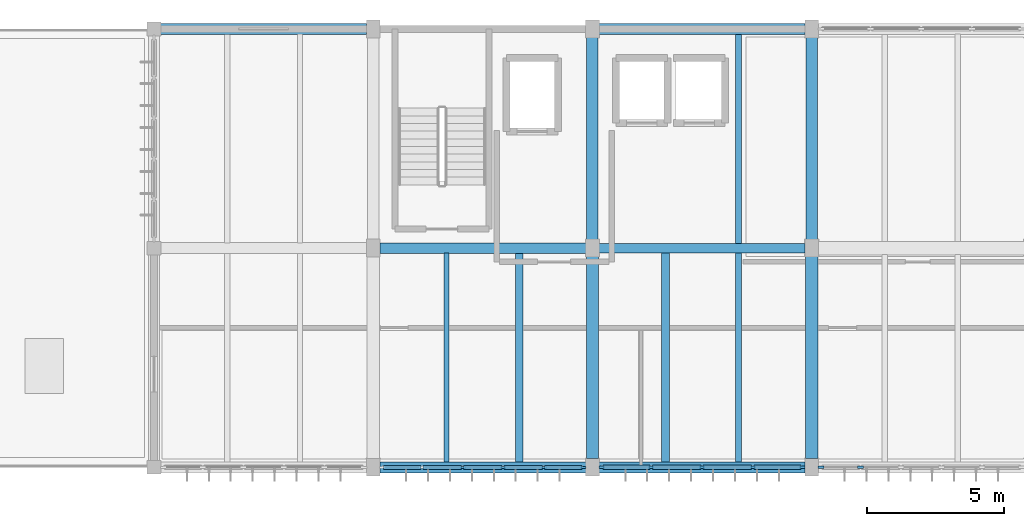
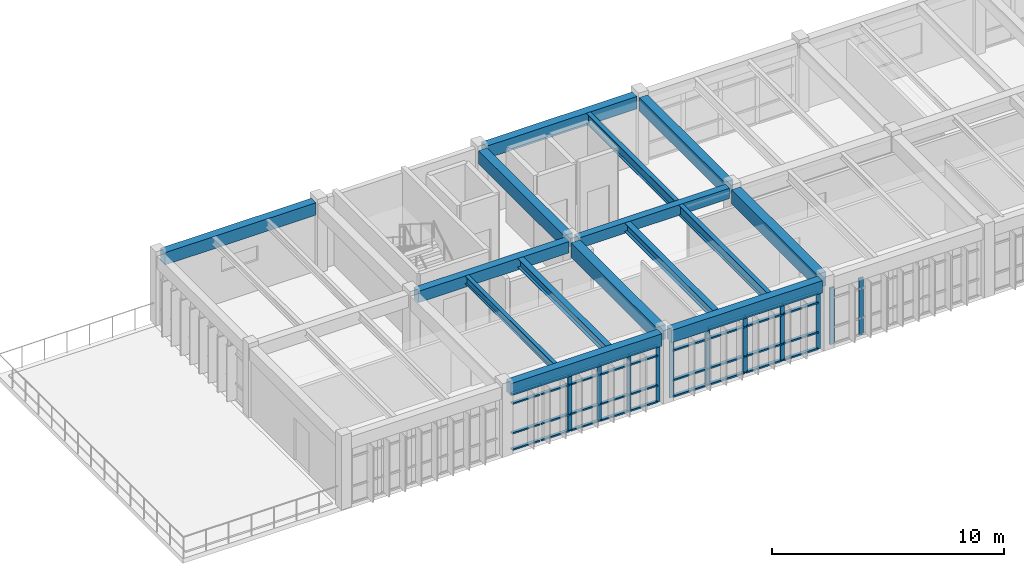
# One storey, part 3 of 15: 47 members, 15 beams, 3 elements without a shape of their own.
"""IFC4 building model written with IfcOpenShell, lengths in metres."""

from ifc_helpers import new_model, si_unit, direction, frame, origin, origin_2d, place, context, subcontext, project, spatial, rectangle, i_section, extrude, material, material_profile, profile_set, type_object, element, aggregate, save


model = new_model("IFC4")

# Units and contexts
model_context = context("Model", 3, precision=1e-05, world=origin(), true_north=direction((0.0, 1.0)))
body_context = subcontext(model_context, "Body", "Model", "MODEL_VIEW")
ifc_project = project(units=[si_unit("LENGTHUNIT", "METRE"), si_unit("AREAUNIT", "SQUARE_METRE"), si_unit("VOLUMEUNIT", "CUBIC_METRE"), si_unit("PLANEANGLEUNIT", "RADIAN"), si_unit("MASSUNIT", "GRAM", prefix="KILO")], contexts=[model_context])

# Site, building, storey
site_placement = place(None, origin())
site = spatial("IfcSite", under=ifc_project, at=site_placement, CompositionType="ELEMENT")
building_placement = place(site_placement, origin())
building = spatial("IfcBuilding", under=site, at=building_placement, Name="Tlaxcora Railside Police Headquarters", CompositionType="ELEMENT")
storey_placement = place(building_placement, frame((0.0, 0.0, 25.800048828125)))
storey = spatial("IfcBuildingStorey", under=building, at=storey_placement, Name="L06", CompositionType="ELEMENT", Elevation=25.800048828125)

# Curtain wall, members
ifc_material_1 = material(Name="Thermally broken low-E insulated glazing", Category="glass")
curtain_wall_type_1 = type_object("IfcCurtainWallType", Name="Unitised Curtain Wall Assembly CW-23", PredefinedType="NOTDEFINED", material=ifc_material_1)
curtain_wall_1_placement = place(storey_placement, origin())
curtain_wall_1 = element("IfcCurtainWall", 1, at=curtain_wall_1_placement, inside=storey, type_object=curtain_wall_type_1, Name="V5 L06 curtain wall 124", PredefinedType="NOTDEFINED")
ifc_material_2 = material(Name="Anodised aluminium framing", Category="aluminium")
ifc_material_profile_1 = material_profile(ifc_material_2, rectangle(XDim=0.080078125, YDim=0.219970703125, at=origin_2d()), Name="AL80X220")
ifc_profile_set_1 = profile_set([ifc_material_profile_1], Name="Anodised aluminium framing")
member_type_1 = type_object("IfcMemberType", Name="Curtain Wall Mullion CW-31", PredefinedType="MULLION", material=ifc_profile_set_1)
member_1_placement = place(storey_placement, frame((37.5400390625, 76.800048828125, 0.0), z_axis=(0.0, 0.0, 1.0), x_axis=(0.0, 1.0, 0.0)))
member_1 = element("IfcMember", 2, at=member_1_placement, type_object=member_type_1, Name="CW mullion 1", PredefinedType="MULLION", context=body_context, shape_type="SweptSolid", body=[
    extrude(rectangle(XDim=0.080078125, YDim=0.219970703125, at=origin_2d()), origin(), (0.0, 0.0, 1.0), 2.989990234375),
])
member_2_placement = place(storey_placement, frame((38.97998046875, 76.800048828125, 0.0), z_axis=(0.0, 0.0, 1.0), x_axis=(0.0, 1.0, 0.0)))
member_2 = element("IfcMember", 3, at=member_2_placement, type_object=member_type_1, Name="CW mullion 2", PredefinedType="MULLION", context=body_context, shape_type="SweptSolid", body=[
    extrude(rectangle(XDim=0.080078125, YDim=0.219970703125, at=origin_2d()), origin(), (0.0, 0.0, 1.0), 2.989990234375),
])
aggregate(curtain_wall_1, [member_1, member_2])

curtain_wall_type_2 = type_object("IfcCurtainWallType", Name="Unitised Curtain Wall Assembly CW-15", PredefinedType="NOTDEFINED", material=ifc_material_1)
curtain_wall_2_placement = place(storey_placement, origin())
curtain_wall_2 = element("IfcCurtainWall", 4, at=curtain_wall_2_placement, inside=storey, type_object=curtain_wall_type_2, Name="V5 L06 curtain wall 122", PredefinedType="NOTDEFINED")
ifc_material_profile_2 = material_profile(ifc_material_2, rectangle(XDim=0.074951171875, YDim=0.199951171875, at=origin_2d()), Name="AL75X200")
ifc_profile_set_2 = profile_set([ifc_material_profile_2], Name="Anodised aluminium framing")
member_type_2 = type_object("IfcMemberType", Name="Curtain Wall Mullion CW-58", PredefinedType="MULLION", material=ifc_profile_set_2)
member_3_placement = place(storey_placement, frame((24.4599609375, 76.800048828125, 0.0), z_axis=(0.0, 0.0, 1.0), x_axis=(0.0, 1.0, 0.0)))
member_3 = element("IfcMember", 5, at=member_3_placement, type_object=member_type_2, Name="CW mullion 3", PredefinedType="MULLION", context=body_context, shape_type="SweptSolid", body=[
    extrude(rectangle(XDim=0.074951171875, YDim=0.199951171875, at=origin_2d()), origin(), (0.0, 0.0, 1.0), 2.989990234375),
])
member_4_placement = place(storey_placement, frame((25.93994140625, 76.800048828125, 0.0), z_axis=(0.0, 0.0, 1.0), x_axis=(0.0, 1.0, 0.0)))
member_4 = element("IfcMember", 6, at=member_4_placement, type_object=member_type_2, Name="CW mullion 4", PredefinedType="MULLION", context=body_context, shape_type="SweptSolid", body=[
    extrude(rectangle(XDim=0.074951171875, YDim=0.199951171875, at=origin_2d()), origin(), (0.0, 0.0, 1.0), 2.989990234375),
])
member_5_placement = place(storey_placement, frame((27.419921875, 76.800048828125, 0.0), z_axis=(0.0, 0.0, 1.0), x_axis=(0.0, 1.0, 0.0)))
member_5 = element("IfcMember", 7, at=member_5_placement, type_object=member_type_2, Name="CW mullion 5", PredefinedType="MULLION", context=body_context, shape_type="SweptSolid", body=[
    extrude(rectangle(XDim=0.074951171875, YDim=0.199951171875, at=origin_2d()), origin(), (0.0, 0.0, 1.0), 2.989990234375),
])
member_6_placement = place(storey_placement, frame((28.862548828125, 76.800048828125, 0.0), z_axis=(0.0, 0.0, 1.0), x_axis=(0.0, 1.0, 0.0)))
member_6 = element("IfcMember", 8, at=member_6_placement, type_object=member_type_2, Name="CW mullion 6", PredefinedType="MULLION", context=body_context, shape_type="SweptSolid", body=[
    extrude(rectangle(XDim=0.074951171875, YDim=0.199951171875, at=origin_2d()), origin(), (0.0, 0.0, 1.0), 2.989990234375),
])

curtain_wall_type_3 = type_object("IfcCurtainWallType", Name="Unitised Curtain Wall Assembly CW-83", PredefinedType="NOTDEFINED", material=ifc_material_1)
curtain_wall_3_placement = place(storey_placement, origin())
curtain_wall_3 = element("IfcCurtainWall", 9, at=curtain_wall_3_placement, inside=storey, type_object=curtain_wall_type_3, Name="V5 L06 curtain wall 123", PredefinedType="NOTDEFINED")
ifc_material_profile_3 = material_profile(ifc_material_2, rectangle(XDim=0.080078125, YDim=0.2099609375, at=origin_2d()), Name="AL80X210")
ifc_profile_set_3 = profile_set([ifc_material_profile_3], Name="Anodised aluminium framing")
member_type_3 = type_object("IfcMemberType", Name="Curtain Wall Mullion CW-76", PredefinedType="MULLION", material=ifc_profile_set_3)
member_7_placement = place(storey_placement, frame((29.5400390625, 76.800048828125, 0.0), z_axis=(0.0, 0.0, 1.0), x_axis=(0.0, 1.0, 0.0)))
member_7 = element("IfcMember", 10, at=member_7_placement, type_object=member_type_3, Name="CW mullion 1", PredefinedType="MULLION", context=body_context, shape_type="SweptSolid", body=[
    extrude(rectangle(XDim=0.080078125, YDim=0.2099609375, at=origin_2d()), origin(), (0.0, 0.0, 1.0), 2.989990234375),
])
member_8_placement = place(storey_placement, frame((31.35009765625, 76.800048828125, 0.0), z_axis=(0.0, 0.0, 1.0), x_axis=(0.0, 1.0, 0.0)))
member_8 = element("IfcMember", 11, at=member_8_placement, type_object=member_type_3, Name="CW mullion 2", PredefinedType="MULLION", context=body_context, shape_type="SweptSolid", body=[
    extrude(rectangle(XDim=0.080078125, YDim=0.2099609375, at=origin_2d()), origin(), (0.0, 0.0, 1.0), 2.989990234375),
])
member_9_placement = place(storey_placement, frame((33.199951171875, 76.800048828125, 0.0), z_axis=(0.0, 0.0, 1.0), x_axis=(0.0, 1.0, 0.0)))
member_9 = element("IfcMember", 12, at=member_9_placement, type_object=member_type_3, Name="CW mullion 3", PredefinedType="MULLION", context=body_context, shape_type="SweptSolid", body=[
    extrude(rectangle(XDim=0.080078125, YDim=0.2099609375, at=origin_2d()), origin(), (0.0, 0.0, 1.0), 2.989990234375),
])
member_10_placement = place(storey_placement, frame((35.050048828125, 76.800048828125, 0.0), z_axis=(0.0, 0.0, 1.0), x_axis=(0.0, 1.0, 0.0)))
member_10 = element("IfcMember", 13, at=member_10_placement, type_object=member_type_3, Name="CW mullion 4", PredefinedType="MULLION", context=body_context, shape_type="SweptSolid", body=[
    extrude(rectangle(XDim=0.080078125, YDim=0.2099609375, at=origin_2d()), origin(), (0.0, 0.0, 1.0), 2.989990234375),
])
member_11_placement = place(storey_placement, frame((36.860107421875, 76.800048828125, 0.0), z_axis=(0.0, 0.0, 1.0), x_axis=(0.0, 1.0, 0.0)))
member_11 = element("IfcMember", 14, at=member_11_placement, type_object=member_type_3, Name="CW mullion 5", PredefinedType="MULLION", context=body_context, shape_type="SweptSolid", body=[
    extrude(rectangle(XDim=0.080078125, YDim=0.2099609375, at=origin_2d()), origin(), (0.0, 0.0, 1.0), 2.989990234375),
])

# Member
ifc_material_profile_4 = material_profile(ifc_material_2, rectangle(XDim=0.14990234375, YDim=0.074951171875, at=origin_2d()), Name="AL75X150")
ifc_profile_set_4 = profile_set([ifc_material_profile_4], Name="Anodised aluminium framing")
member_type_4 = type_object("IfcMemberType", Name="Curtain Wall Transom CW-28", PredefinedType="USERDEFINED", material=ifc_profile_set_4)
member_12_placement = place(storey_placement, frame((21.574951171875, 76.800048828125, 0.037353515625), z_axis=(1.0, 0.0, 0.0), x_axis=(0.0, 1.0, 0.0)))
member_12 = element("IfcMember", 15, at=member_12_placement, type_object=member_type_4, Name="CW transom 1.1", ObjectType="TRANSOM", PredefinedType="USERDEFINED", context=body_context, shape_type="SweptSolid", body=[
    extrude(rectangle(XDim=0.14990234375, YDim=0.074951171875, at=origin_2d()), origin(), (0.0, 0.0, 1.0), 1.367431640625),
])

member_13_placement = place(storey_placement, frame((21.574951171875, 76.800048828125, 0.89990234375), z_axis=(1.0, 0.0, 0.0), x_axis=(0.0, 1.0, 0.0)))
member_13 = element("IfcMember", 16, at=member_13_placement, type_object=member_type_4, Name="CW transom 1.2", ObjectType="TRANSOM", PredefinedType="USERDEFINED", context=body_context, shape_type="SweptSolid", body=[
    extrude(rectangle(XDim=0.14990234375, YDim=0.074951171875, at=origin_2d()), origin(), (0.0, 0.0, 1.0), 1.367431640625),
])

member_14_placement = place(storey_placement, frame((21.574951171875, 76.800048828125, 2.4599609375), z_axis=(1.0, 0.0, 0.0), x_axis=(0.0, 1.0, 0.0)))
member_14 = element("IfcMember", 17, at=member_14_placement, type_object=member_type_4, Name="CW transom 1.3", ObjectType="TRANSOM", PredefinedType="USERDEFINED", context=body_context, shape_type="SweptSolid", body=[
    extrude(rectangle(XDim=0.14990234375, YDim=0.074951171875, at=origin_2d()), origin(), (0.0, 0.0, 1.0), 1.367431640625),
])

member_15_placement = place(storey_placement, frame((21.574951171875, 76.800048828125, 2.952392578125), z_axis=(1.0, 0.0, 0.0), x_axis=(0.0, 1.0, 0.0)))
member_15 = element("IfcMember", 18, at=member_15_placement, type_object=member_type_4, Name="CW transom 1.4", ObjectType="TRANSOM", PredefinedType="USERDEFINED", context=body_context, shape_type="SweptSolid", body=[
    extrude(rectangle(XDim=0.14990234375, YDim=0.074951171875, at=origin_2d()), origin(), (0.0, 0.0, 1.0), 1.367431640625),
])

member_16_placement = place(storey_placement, frame((23.017578125, 76.800048828125, 0.037353515625), z_axis=(1.0, 0.0, 0.0), x_axis=(0.0, 1.0, 0.0)))
member_16 = element("IfcMember", 19, at=member_16_placement, type_object=member_type_4, Name="CW transom 2.1", ObjectType="TRANSOM", PredefinedType="USERDEFINED", context=body_context, shape_type="SweptSolid", body=[
    extrude(rectangle(XDim=0.14990234375, YDim=0.074951171875, at=origin_2d()), origin(), (0.0, 0.0, 1.0), 1.405029296875),
])

member_17_placement = place(storey_placement, frame((23.017578125, 76.800048828125, 0.89990234375), z_axis=(1.0, 0.0, 0.0), x_axis=(0.0, 1.0, 0.0)))
member_17 = element("IfcMember", 20, at=member_17_placement, type_object=member_type_4, Name="CW transom 2.2", ObjectType="TRANSOM", PredefinedType="USERDEFINED", context=body_context, shape_type="SweptSolid", body=[
    extrude(rectangle(XDim=0.14990234375, YDim=0.074951171875, at=origin_2d()), origin(), (0.0, 0.0, 1.0), 1.405029296875),
])

member_18_placement = place(storey_placement, frame((23.017578125, 76.800048828125, 2.4599609375), z_axis=(1.0, 0.0, 0.0), x_axis=(0.0, 1.0, 0.0)))
member_18 = element("IfcMember", 21, at=member_18_placement, type_object=member_type_4, Name="CW transom 2.3", ObjectType="TRANSOM", PredefinedType="USERDEFINED", context=body_context, shape_type="SweptSolid", body=[
    extrude(rectangle(XDim=0.14990234375, YDim=0.074951171875, at=origin_2d()), origin(), (0.0, 0.0, 1.0), 1.405029296875),
])

member_19_placement = place(storey_placement, frame((23.017578125, 76.800048828125, 2.952392578125), z_axis=(1.0, 0.0, 0.0), x_axis=(0.0, 1.0, 0.0)))
member_19 = element("IfcMember", 22, at=member_19_placement, type_object=member_type_4, Name="CW transom 2.4", ObjectType="TRANSOM", PredefinedType="USERDEFINED", context=body_context, shape_type="SweptSolid", body=[
    extrude(rectangle(XDim=0.14990234375, YDim=0.074951171875, at=origin_2d()), origin(), (0.0, 0.0, 1.0), 1.405029296875),
])

member_20_placement = place(storey_placement, frame((24.49755859375, 76.800048828125, 0.037353515625), z_axis=(1.0, 0.0, 0.0), x_axis=(0.0, 1.0, 0.0)))
member_20 = element("IfcMember", 23, at=member_20_placement, type_object=member_type_4, Name="CW transom 3.1", ObjectType="TRANSOM", PredefinedType="USERDEFINED", context=body_context, shape_type="SweptSolid", body=[
    extrude(rectangle(XDim=0.14990234375, YDim=0.074951171875, at=origin_2d()), origin(), (0.0, 0.0, 1.0), 1.405029296875),
])

member_21_placement = place(storey_placement, frame((24.49755859375, 76.800048828125, 0.89990234375), z_axis=(1.0, 0.0, 0.0), x_axis=(0.0, 1.0, 0.0)))
member_21 = element("IfcMember", 24, at=member_21_placement, type_object=member_type_4, Name="CW transom 3.2", ObjectType="TRANSOM", PredefinedType="USERDEFINED", context=body_context, shape_type="SweptSolid", body=[
    extrude(rectangle(XDim=0.14990234375, YDim=0.074951171875, at=origin_2d()), origin(), (0.0, 0.0, 1.0), 1.405029296875),
])

member_22_placement = place(storey_placement, frame((24.49755859375, 76.800048828125, 2.4599609375), z_axis=(1.0, 0.0, 0.0), x_axis=(0.0, 1.0, 0.0)))
member_22 = element("IfcMember", 25, at=member_22_placement, type_object=member_type_4, Name="CW transom 3.3", ObjectType="TRANSOM", PredefinedType="USERDEFINED", context=body_context, shape_type="SweptSolid", body=[
    extrude(rectangle(XDim=0.14990234375, YDim=0.074951171875, at=origin_2d()), origin(), (0.0, 0.0, 1.0), 1.405029296875),
])

member_23_placement = place(storey_placement, frame((24.49755859375, 76.800048828125, 2.952392578125), z_axis=(1.0, 0.0, 0.0), x_axis=(0.0, 1.0, 0.0)))
member_23 = element("IfcMember", 26, at=member_23_placement, type_object=member_type_4, Name="CW transom 3.4", ObjectType="TRANSOM", PredefinedType="USERDEFINED", context=body_context, shape_type="SweptSolid", body=[
    extrude(rectangle(XDim=0.14990234375, YDim=0.074951171875, at=origin_2d()), origin(), (0.0, 0.0, 1.0), 1.405029296875),
])

member_24_placement = place(storey_placement, frame((25.9775390625, 76.800048828125, 0.037353515625), z_axis=(1.0, 0.0, 0.0), x_axis=(0.0, 1.0, 0.0)))
member_24 = element("IfcMember", 27, at=member_24_placement, type_object=member_type_4, Name="CW transom 4.1", ObjectType="TRANSOM", PredefinedType="USERDEFINED", context=body_context, shape_type="SweptSolid", body=[
    extrude(rectangle(XDim=0.14990234375, YDim=0.074951171875, at=origin_2d()), origin(), (0.0, 0.0, 1.0), 1.405029296875),
])

member_25_placement = place(storey_placement, frame((25.9775390625, 76.800048828125, 0.89990234375), z_axis=(1.0, 0.0, 0.0), x_axis=(0.0, 1.0, 0.0)))
member_25 = element("IfcMember", 28, at=member_25_placement, type_object=member_type_4, Name="CW transom 4.2", ObjectType="TRANSOM", PredefinedType="USERDEFINED", context=body_context, shape_type="SweptSolid", body=[
    extrude(rectangle(XDim=0.14990234375, YDim=0.074951171875, at=origin_2d()), origin(), (0.0, 0.0, 1.0), 1.405029296875),
])

member_26_placement = place(storey_placement, frame((25.9775390625, 76.800048828125, 2.4599609375), z_axis=(1.0, 0.0, 0.0), x_axis=(0.0, 1.0, 0.0)))
member_26 = element("IfcMember", 29, at=member_26_placement, type_object=member_type_4, Name="CW transom 4.3", ObjectType="TRANSOM", PredefinedType="USERDEFINED", context=body_context, shape_type="SweptSolid", body=[
    extrude(rectangle(XDim=0.14990234375, YDim=0.074951171875, at=origin_2d()), origin(), (0.0, 0.0, 1.0), 1.405029296875),
])

member_27_placement = place(storey_placement, frame((25.9775390625, 76.800048828125, 2.952392578125), z_axis=(1.0, 0.0, 0.0), x_axis=(0.0, 1.0, 0.0)))
member_27 = element("IfcMember", 30, at=member_27_placement, type_object=member_type_4, Name="CW transom 4.4", ObjectType="TRANSOM", PredefinedType="USERDEFINED", context=body_context, shape_type="SweptSolid", body=[
    extrude(rectangle(XDim=0.14990234375, YDim=0.074951171875, at=origin_2d()), origin(), (0.0, 0.0, 1.0), 1.405029296875),
])

member_28_placement = place(storey_placement, frame((27.45751953125, 76.800048828125, 0.037353515625), z_axis=(1.0, 0.0, 0.0), x_axis=(0.0, 1.0, 0.0)))
member_28 = element("IfcMember", 31, at=member_28_placement, type_object=member_type_4, Name="CW transom 5.1", ObjectType="TRANSOM", PredefinedType="USERDEFINED", context=body_context, shape_type="SweptSolid", body=[
    extrude(rectangle(XDim=0.14990234375, YDim=0.074951171875, at=origin_2d()), origin(), (0.0, 0.0, 1.0), 1.367431640625),
])

member_29_placement = place(storey_placement, frame((27.45751953125, 76.800048828125, 0.89990234375), z_axis=(1.0, 0.0, 0.0), x_axis=(0.0, 1.0, 0.0)))
member_29 = element("IfcMember", 32, at=member_29_placement, type_object=member_type_4, Name="CW transom 5.2", ObjectType="TRANSOM", PredefinedType="USERDEFINED", context=body_context, shape_type="SweptSolid", body=[
    extrude(rectangle(XDim=0.14990234375, YDim=0.074951171875, at=origin_2d()), origin(), (0.0, 0.0, 1.0), 1.367431640625),
])

member_30_placement = place(storey_placement, frame((27.45751953125, 76.800048828125, 2.4599609375), z_axis=(1.0, 0.0, 0.0), x_axis=(0.0, 1.0, 0.0)))
member_30 = element("IfcMember", 33, at=member_30_placement, type_object=member_type_4, Name="CW transom 5.3", ObjectType="TRANSOM", PredefinedType="USERDEFINED", context=body_context, shape_type="SweptSolid", body=[
    extrude(rectangle(XDim=0.14990234375, YDim=0.074951171875, at=origin_2d()), origin(), (0.0, 0.0, 1.0), 1.367431640625),
])

member_31_placement = place(storey_placement, frame((27.45751953125, 76.800048828125, 2.952392578125), z_axis=(1.0, 0.0, 0.0), x_axis=(0.0, 1.0, 0.0)))
member_31 = element("IfcMember", 34, at=member_31_placement, type_object=member_type_4, Name="CW transom 5.4", ObjectType="TRANSOM", PredefinedType="USERDEFINED", context=body_context, shape_type="SweptSolid", body=[
    extrude(rectangle(XDim=0.14990234375, YDim=0.074951171875, at=origin_2d()), origin(), (0.0, 0.0, 1.0), 1.367431640625),
])

aggregate(curtain_wall_2, [member_3, member_4, member_5, member_6, member_12, member_13, member_14, member_15, member_16, member_17, member_18, member_19, member_20, member_21, member_22, member_23, member_24, member_25, member_26, member_27, member_28, member_29, member_30, member_31])

ifc_material_profile_5 = material_profile(ifc_material_2, rectangle(XDim=0.159912109375, YDim=0.080078125, at=origin_2d()), Name="AL80X160")
ifc_profile_set_5 = profile_set([ifc_material_profile_5], Name="Anodised aluminium framing")
member_type_5 = type_object("IfcMemberType", Name="Curtain Wall Transom CW-82", PredefinedType="USERDEFINED", material=ifc_profile_set_5)
member_32_placement = place(storey_placement, frame((29.580078125, 76.800048828125, 0.0400390625), z_axis=(1.0, 0.0, 0.0), x_axis=(0.0, 1.0, 0.0)))
member_32 = element("IfcMember", 35, at=member_32_placement, type_object=member_type_5, Name="CW transom 1.1", ObjectType="TRANSOM", PredefinedType="USERDEFINED", context=body_context, shape_type="SweptSolid", body=[
    extrude(rectangle(XDim=0.159912109375, YDim=0.080078125, at=origin_2d()), origin(), (0.0, 0.0, 1.0), 1.72998046875),
])

member_33_placement = place(storey_placement, frame((29.580078125, 76.800048828125, 0.89990234375), z_axis=(1.0, 0.0, 0.0), x_axis=(0.0, 1.0, 0.0)))
member_33 = element("IfcMember", 36, at=member_33_placement, type_object=member_type_5, Name="CW transom 1.2", ObjectType="TRANSOM", PredefinedType="USERDEFINED", context=body_context, shape_type="SweptSolid", body=[
    extrude(rectangle(XDim=0.159912109375, YDim=0.080078125, at=origin_2d()), origin(), (0.0, 0.0, 1.0), 1.72998046875),
])

member_34_placement = place(storey_placement, frame((29.580078125, 76.800048828125, 2.4599609375), z_axis=(1.0, 0.0, 0.0), x_axis=(0.0, 1.0, 0.0)))
member_34 = element("IfcMember", 37, at=member_34_placement, type_object=member_type_5, Name="CW transom 1.3", ObjectType="TRANSOM", PredefinedType="USERDEFINED", context=body_context, shape_type="SweptSolid", body=[
    extrude(rectangle(XDim=0.159912109375, YDim=0.080078125, at=origin_2d()), origin(), (0.0, 0.0, 1.0), 1.72998046875),
])

member_35_placement = place(storey_placement, frame((29.580078125, 76.800048828125, 2.949951171875), z_axis=(1.0, 0.0, 0.0), x_axis=(0.0, 1.0, 0.0)))
member_35 = element("IfcMember", 38, at=member_35_placement, type_object=member_type_5, Name="CW transom 1.4", ObjectType="TRANSOM", PredefinedType="USERDEFINED", context=body_context, shape_type="SweptSolid", body=[
    extrude(rectangle(XDim=0.159912109375, YDim=0.080078125, at=origin_2d()), origin(), (0.0, 0.0, 1.0), 1.72998046875),
])

member_36_placement = place(storey_placement, frame((31.389892578125, 76.800048828125, 0.0400390625), z_axis=(1.0, 0.0, 0.0), x_axis=(0.0, 1.0, 0.0)))
member_36 = element("IfcMember", 39, at=member_36_placement, type_object=member_type_5, Name="CW transom 2.1", ObjectType="TRANSOM", PredefinedType="USERDEFINED", context=body_context, shape_type="SweptSolid", body=[
    extrude(rectangle(XDim=0.159912109375, YDim=0.080078125, at=origin_2d()), origin(), (0.0, 0.0, 1.0), 1.77001953125),
])

member_37_placement = place(storey_placement, frame((31.389892578125, 76.800048828125, 0.89990234375), z_axis=(1.0, 0.0, 0.0), x_axis=(0.0, 1.0, 0.0)))
member_37 = element("IfcMember", 40, at=member_37_placement, type_object=member_type_5, Name="CW transom 2.2", ObjectType="TRANSOM", PredefinedType="USERDEFINED", context=body_context, shape_type="SweptSolid", body=[
    extrude(rectangle(XDim=0.159912109375, YDim=0.080078125, at=origin_2d()), origin(), (0.0, 0.0, 1.0), 1.77001953125),
])

member_38_placement = place(storey_placement, frame((31.389892578125, 76.800048828125, 2.4599609375), z_axis=(1.0, 0.0, 0.0), x_axis=(0.0, 1.0, 0.0)))
member_38 = element("IfcMember", 41, at=member_38_placement, type_object=member_type_5, Name="CW transom 2.3", ObjectType="TRANSOM", PredefinedType="USERDEFINED", context=body_context, shape_type="SweptSolid", body=[
    extrude(rectangle(XDim=0.159912109375, YDim=0.080078125, at=origin_2d()), origin(), (0.0, 0.0, 1.0), 1.77001953125),
])

member_39_placement = place(storey_placement, frame((31.389892578125, 76.800048828125, 2.949951171875), z_axis=(1.0, 0.0, 0.0), x_axis=(0.0, 1.0, 0.0)))
member_39 = element("IfcMember", 42, at=member_39_placement, type_object=member_type_5, Name="CW transom 2.4", ObjectType="TRANSOM", PredefinedType="USERDEFINED", context=body_context, shape_type="SweptSolid", body=[
    extrude(rectangle(XDim=0.159912109375, YDim=0.080078125, at=origin_2d()), origin(), (0.0, 0.0, 1.0), 1.77001953125),
])

member_40_placement = place(storey_placement, frame((33.239990234375, 76.800048828125, 0.0400390625), z_axis=(1.0, 0.0, 0.0), x_axis=(0.0, 1.0, 0.0)))
member_40 = element("IfcMember", 43, at=member_40_placement, type_object=member_type_5, Name="CW transom 3.1", ObjectType="TRANSOM", PredefinedType="USERDEFINED", context=body_context, shape_type="SweptSolid", body=[
    extrude(rectangle(XDim=0.159912109375, YDim=0.080078125, at=origin_2d()), origin(), (0.0, 0.0, 1.0), 1.77001953125),
])

member_41_placement = place(storey_placement, frame((33.239990234375, 76.800048828125, 0.89990234375), z_axis=(1.0, 0.0, 0.0), x_axis=(0.0, 1.0, 0.0)))
member_41 = element("IfcMember", 44, at=member_41_placement, type_object=member_type_5, Name="CW transom 3.2", ObjectType="TRANSOM", PredefinedType="USERDEFINED", context=body_context, shape_type="SweptSolid", body=[
    extrude(rectangle(XDim=0.159912109375, YDim=0.080078125, at=origin_2d()), origin(), (0.0, 0.0, 1.0), 1.77001953125),
])

member_42_placement = place(storey_placement, frame((33.239990234375, 76.800048828125, 2.4599609375), z_axis=(1.0, 0.0, 0.0), x_axis=(0.0, 1.0, 0.0)))
member_42 = element("IfcMember", 45, at=member_42_placement, type_object=member_type_5, Name="CW transom 3.3", ObjectType="TRANSOM", PredefinedType="USERDEFINED", context=body_context, shape_type="SweptSolid", body=[
    extrude(rectangle(XDim=0.159912109375, YDim=0.080078125, at=origin_2d()), origin(), (0.0, 0.0, 1.0), 1.77001953125),
])

member_43_placement = place(storey_placement, frame((33.239990234375, 76.800048828125, 2.949951171875), z_axis=(1.0, 0.0, 0.0), x_axis=(0.0, 1.0, 0.0)))
member_43 = element("IfcMember", 46, at=member_43_placement, type_object=member_type_5, Name="CW transom 3.4", ObjectType="TRANSOM", PredefinedType="USERDEFINED", context=body_context, shape_type="SweptSolid", body=[
    extrude(rectangle(XDim=0.159912109375, YDim=0.080078125, at=origin_2d()), origin(), (0.0, 0.0, 1.0), 1.77001953125),
])

member_44_placement = place(storey_placement, frame((35.090087890625, 76.800048828125, 0.0400390625), z_axis=(1.0, 0.0, 0.0), x_axis=(0.0, 1.0, 0.0)))
member_44 = element("IfcMember", 47, at=member_44_placement, type_object=member_type_5, Name="CW transom 4.1", ObjectType="TRANSOM", PredefinedType="USERDEFINED", context=body_context, shape_type="SweptSolid", body=[
    extrude(rectangle(XDim=0.159912109375, YDim=0.080078125, at=origin_2d()), origin(), (0.0, 0.0, 1.0), 1.72998046875),
])

member_45_placement = place(storey_placement, frame((35.090087890625, 76.800048828125, 0.89990234375), z_axis=(1.0, 0.0, 0.0), x_axis=(0.0, 1.0, 0.0)))
member_45 = element("IfcMember", 48, at=member_45_placement, type_object=member_type_5, Name="CW transom 4.2", ObjectType="TRANSOM", PredefinedType="USERDEFINED", context=body_context, shape_type="SweptSolid", body=[
    extrude(rectangle(XDim=0.159912109375, YDim=0.080078125, at=origin_2d()), origin(), (0.0, 0.0, 1.0), 1.72998046875),
])

member_46_placement = place(storey_placement, frame((35.090087890625, 76.800048828125, 2.4599609375), z_axis=(1.0, 0.0, 0.0), x_axis=(0.0, 1.0, 0.0)))
member_46 = element("IfcMember", 49, at=member_46_placement, type_object=member_type_5, Name="CW transom 4.3", ObjectType="TRANSOM", PredefinedType="USERDEFINED", context=body_context, shape_type="SweptSolid", body=[
    extrude(rectangle(XDim=0.159912109375, YDim=0.080078125, at=origin_2d()), origin(), (0.0, 0.0, 1.0), 1.72998046875),
])

member_47_placement = place(storey_placement, frame((35.090087890625, 76.800048828125, 2.949951171875), z_axis=(1.0, 0.0, 0.0), x_axis=(0.0, 1.0, 0.0)))
member_47 = element("IfcMember", 50, at=member_47_placement, type_object=member_type_5, Name="CW transom 4.4", ObjectType="TRANSOM", PredefinedType="USERDEFINED", context=body_context, shape_type="SweptSolid", body=[
    extrude(rectangle(XDim=0.159912109375, YDim=0.080078125, at=origin_2d()), origin(), (0.0, 0.0, 1.0), 1.72998046875),
])

aggregate(curtain_wall_3, [member_7, member_8, member_9, member_10, member_11, member_32, member_33, member_34, member_35, member_36, member_37, member_38, member_39, member_40, member_41, member_42, member_43, member_44, member_45, member_46, member_47])

# Beams
ifc_material_3 = material(Name="Concrete C40/50", Category="concrete")
ifc_material_profile_6 = material_profile(ifc_material_3, rectangle(XDim=0.39990234375, YDim=0.64990234375, at=origin_2d()), Name="RC400X650")
ifc_profile_set_6 = profile_set([ifc_material_profile_6], Name="Concrete C40/50")
beam_type_1 = type_object("IfcBeamType", Name="Perimeter Spandrel Beam BM-46", PredefinedType="SPANDREL", material=ifc_profile_set_6)
for number, where, z_axis, x_axis, name in (
    (51, (21.43994140625, 76.800048828125, 3.3349609375), (1.0, 0.0, 0.0), (0.0, 1.0, 0.0), "V5 L06 X-girder Y=76.8"),
    (52, (29.43994140625, 76.800048828125, 3.3349609375), (1.0, 0.0, 0.0), (0.0, 1.0, 0.0), "V5 L06 X-girder Y=76.8"),
    (53, (13.43994140625, 92.800048828125, 3.3349609375), (1.0, 0.0, 0.0), (0.0, 1.0, 0.0), "V5 L06 X-girder Y=92.8"),
    (54, (29.43994140625, 92.800048828125, 3.3349609375), (1.0, 0.0, 0.0), (0.0, 1.0, 0.0), "V5 L06 X-girder Y=92.8"),
):
    element("IfcBeam", number, at=place(storey_placement, frame(where, z_axis=z_axis, x_axis=x_axis)), inside=storey, type_object=beam_type_1, Name=name, PredefinedType="SPANDREL", context=body_context, shape_type="SweptSolid", body=[
        extrude(rectangle(XDim=0.39990234375, YDim=0.64990234375, at=origin_2d()), origin(), (0.0, 0.0, 1.0), 7.52001953125),
    ])
ifc_material_profile_7 = material_profile(ifc_material_3, rectangle(XDim=0.3798828125, YDim=0.60009765625, at=origin_2d()), Name="RC380X600")
ifc_profile_set_7 = profile_set([ifc_material_profile_7], Name="Concrete C40/50")
beam_type_2 = type_object("IfcBeamType", Name="Primary Frame Girder BM-22", PredefinedType="BEAM", material=ifc_profile_set_7)
beam_1_placement = place(storey_placement, frame((21.43994140625, 84.800048828125, 3.35986328125), z_axis=(1.0, 0.0, 0.0), x_axis=(0.0, 1.0, 0.0)))
element("IfcBeam", 55, at=beam_1_placement, inside=storey, type_object=beam_type_2, Name="V5 L06 X-girder Y=84.8", PredefinedType="BEAM", context=body_context, shape_type="SweptSolid", body=[
    extrude(rectangle(XDim=0.3798828125, YDim=0.60009765625, at=origin_2d()), origin(), (0.0, 0.0, 1.0), 7.52001953125),
])
ifc_material_profile_8 = material_profile(ifc_material_3, rectangle(XDim=0.419921875, YDim=0.699951171875, at=origin_2d()), Name="RC420X700")
ifc_profile_set_8 = profile_set([ifc_material_profile_8], Name="Concrete C40/50")
beam_type_3 = type_object("IfcBeamType", Name="Primary Frame Girder BM-35", PredefinedType="BEAM", material=ifc_profile_set_8)
for number, where, z_axis, x_axis, name in (
    (56, (29.199951171875, 85.114990234375, 3.31005859375), (0.0, 1.0, 0.0), (-1.0, 0.0, 0.0), "V5 L06 Y-girder X=29.2"),
    (57, (37.199951171875, 85.114990234375, 3.31005859375), (0.0, 1.0, 0.0), (-1.0, 0.0, 0.0), "V5 L06 Y-girder X=37.2"),
):
    element("IfcBeam", number, at=place(storey_placement, frame(where, z_axis=z_axis, x_axis=x_axis)), inside=storey, type_object=beam_type_3, Name=name, PredefinedType="BEAM", context=body_context, shape_type="SweptSolid", body=[
        extrude(rectangle(XDim=0.419921875, YDim=0.699951171875, at=origin_2d()), origin(), (0.0, 0.0, 1.0), 7.3701171875),
    ])
ifc_material_profile_9 = material_profile(ifc_material_3, rectangle(XDim=0.35009765625, YDim=0.550048828125, at=origin_2d()), Name="RC350X550")
ifc_profile_set_9 = profile_set([ifc_material_profile_9], Name="Concrete C40/50")
beam_type_4 = type_object("IfcBeamType", Name="Primary Frame Girder BM-39", PredefinedType="BEAM", material=ifc_profile_set_9)
beam_2_placement = place(storey_placement, frame((29.43994140625, 84.800048828125, 3.385009765625), z_axis=(1.0, 0.0, 0.0), x_axis=(0.0, 1.0, 0.0)))
element("IfcBeam", 58, at=beam_2_placement, inside=storey, type_object=beam_type_4, Name="V5 L06 X-girder Y=84.8", PredefinedType="BEAM", context=body_context, shape_type="SweptSolid", body=[
    extrude(rectangle(XDim=0.35009765625, YDim=0.550048828125, at=origin_2d()), origin(), (0.0, 0.0, 1.0), 7.52001953125),
])
ifc_material_profile_10 = material_profile(ifc_material_3, rectangle(XDim=0.449951171875, YDim=0.75, at=origin_2d()), Name="RC450X750")
ifc_profile_set_10 = profile_set([ifc_material_profile_10], Name="Concrete C40/50")
beam_type_5 = type_object("IfcBeamType", Name="Primary Frame Girder BM-73", PredefinedType="BEAM", material=ifc_profile_set_10)
for number, where, z_axis, x_axis, name in (
    (59, (29.199951171875, 77.114990234375, 3.284912109375), (0.0, 1.0, 0.0), (-1.0, 0.0, 0.0), "V5 L06 Y-girder X=29.2"),
    (60, (37.199951171875, 77.114990234375, 3.284912109375), (0.0, 1.0, 0.0), (-1.0, 0.0, 0.0), "V5 L06 Y-girder X=37.2"),
):
    element("IfcBeam", number, at=place(storey_placement, frame(where, z_axis=z_axis, x_axis=x_axis)), inside=storey, type_object=beam_type_5, Name=name, PredefinedType="BEAM", context=body_context, shape_type="SweptSolid", body=[
        extrude(rectangle(XDim=0.449951171875, YDim=0.75, at=origin_2d()), origin(), (0.0, 0.0, 1.0), 7.3701171875),
    ])
ifc_material_4 = material(Name="Steel ASTM A992 Grade 50", Category="steel")
ifc_material_profile_11 = material_profile(ifc_material_4, i_section(OverallWidth=0.280029296875, OverallDepth=0.4619140625, WebThickness=0.0107421875, FlangeThickness=0.017333984375, at=origin_2d()), Name="W18X76")
ifc_profile_set_11 = profile_set([ifc_material_profile_11], Name="Steel ASTM A992 Grade 50")
beam_type_6 = type_object("IfcBeamType", Name="Secondary Floor Joist BM-44", PredefinedType="JOIST", material=ifc_profile_set_11)
beam_3_placement = place(storey_placement, frame((26.533203125, 76.991943359375, 3.428955078125), z_axis=(0.0, 1.0, 0.0), x_axis=(-1.0, 0.0, 0.0)))
element("IfcBeam", 61, at=beam_3_placement, inside=storey, type_object=beam_type_6, Name="V5 L06 floor joist X=26.53", PredefinedType="JOIST", context=body_context, shape_type="SweptSolid", body=[
    extrude(i_section(OverallWidth=0.280029296875, OverallDepth=0.4619140625, WebThickness=0.0107421875, FlangeThickness=0.017333984375, at=origin_2d()), origin(), (0.0, 0.0, 1.0), 7.6259765625),
])
beam_4_placement = place(storey_placement, frame((31.86669921875, 76.991943359375, 3.428955078125), z_axis=(0.0, 1.0, 0.0), x_axis=(-1.0, 0.0, 0.0)))
element("IfcBeam", 62, at=beam_4_placement, inside=storey, type_object=beam_type_6, Name="V5 L06 floor joist X=31.87", PredefinedType="JOIST", context=body_context, shape_type="SweptSolid", body=[
    extrude(i_section(OverallWidth=0.280029296875, OverallDepth=0.4619140625, WebThickness=0.0107421875, FlangeThickness=0.017333984375, at=origin_2d()), origin(), (0.0, 0.0, 1.0), 7.64111328125),
])
ifc_material_profile_12 = material_profile(ifc_material_4, i_section(OverallWidth=0.180908203125, OverallDepth=0.4169921875, WebThickness=0.010009765625, FlangeThickness=0.018310546875, at=origin_2d()), Name="W16X57")
ifc_profile_set_12 = profile_set([ifc_material_profile_12], Name="Steel ASTM A992 Grade 50")
beam_type_7 = type_object("IfcBeamType", Name="Secondary Floor Joist BM-84", PredefinedType="JOIST", material=ifc_profile_set_12)
beam_5_placement = place(storey_placement, frame((23.86669921875, 76.991943359375, 3.451416015625), z_axis=(0.0, 1.0, 0.0), x_axis=(-1.0, 0.0, 0.0)))
element("IfcBeam", 63, at=beam_5_placement, inside=storey, type_object=beam_type_7, Name="V5 L06 floor joist X=23.87", PredefinedType="JOIST", context=body_context, shape_type="SweptSolid", body=[
    extrude(i_section(OverallWidth=0.180908203125, OverallDepth=0.4169921875, WebThickness=0.010009765625, FlangeThickness=0.018310546875, at=origin_2d()), origin(), (0.0, 0.0, 1.0), 7.6259765625),
])
ifc_material_profile_13 = material_profile(ifc_material_4, i_section(OverallWidth=0.214111328125, OverallDepth=0.549072265625, WebThickness=0.0146484375, FlangeThickness=0.023681640625, at=origin_2d()), Name="W21X93")
ifc_profile_set_13 = profile_set([ifc_material_profile_13], Name="Steel ASTM A992 Grade 50")
beam_type_8 = type_object("IfcBeamType", Name="Secondary Floor Joist BM-97", PredefinedType="JOIST", material=ifc_profile_set_13)
beam_6_placement = place(storey_placement, frame((34.533203125, 76.991943359375, 3.385498046875), z_axis=(0.0, 1.0, 0.0), x_axis=(-1.0, 0.0, 0.0)))
element("IfcBeam", 64, at=beam_6_placement, inside=storey, type_object=beam_type_8, Name="V5 L06 floor joist X=34.53", PredefinedType="JOIST", context=body_context, shape_type="SweptSolid", body=[
    extrude(i_section(OverallWidth=0.214111328125, OverallDepth=0.549072265625, WebThickness=0.0146484375, FlangeThickness=0.023681640625, at=origin_2d()), origin(), (0.0, 0.0, 1.0), 7.64111328125),
])
beam_7_placement = place(storey_placement, frame((34.533203125, 84.967041015625, 3.385498046875), z_axis=(0.0, 1.0, 0.0), x_axis=(-1.0, 0.0, 0.0)))
element("IfcBeam", 65, at=beam_7_placement, inside=storey, type_object=beam_type_8, Name="V5 L06 floor joist X=34.53", PredefinedType="JOIST", context=body_context, shape_type="SweptSolid", body=[
    extrude(i_section(OverallWidth=0.214111328125, OverallDepth=0.549072265625, WebThickness=0.0146484375, FlangeThickness=0.023681640625, at=origin_2d()), origin(), (0.0, 0.0, 1.0), 7.640869140625),
])

save(model, "model.ifc")
